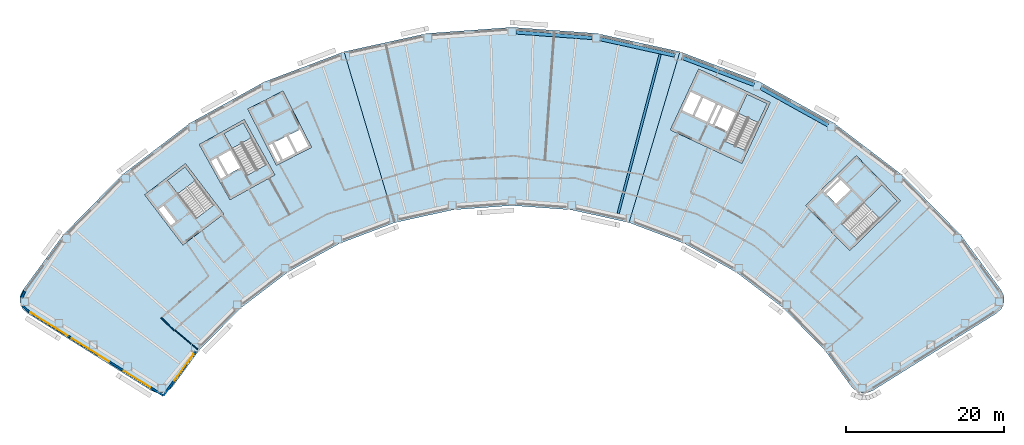
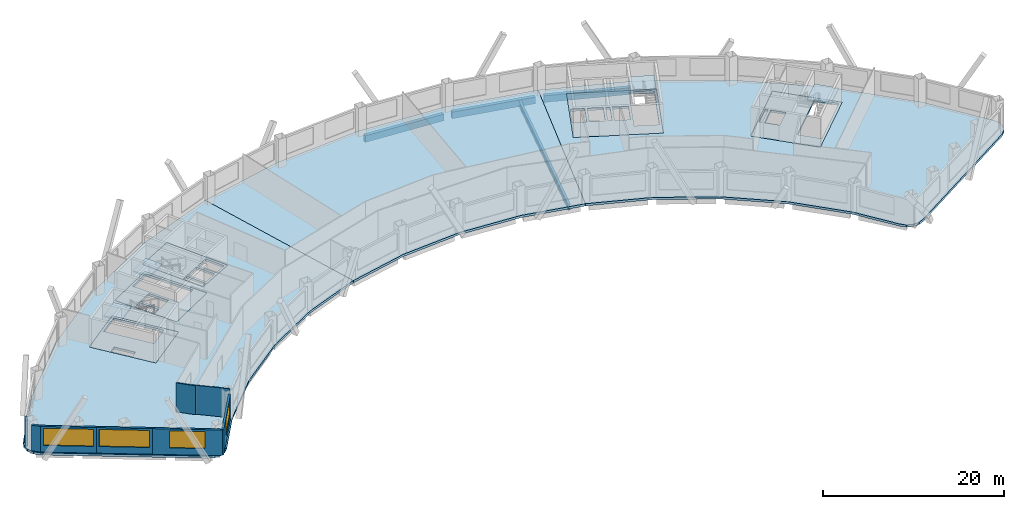
# One storey, part 2 of 11: 12 slabs, 8 walls, 5 beams, 4 windows, 4 openings, 4 elements without a shape of their own.
"""IFC4 building model written with IfcOpenShell, lengths in metres."""

from ifc_helpers import new_model, si_unit, direction, frame, frame_2d, origin, origin_2d, place, context, subcontext, project, spatial, polyline, rectangle, hollow_rectangle, i_section, outline, extrude, material, layer, layer_set, material_profile, profile_set, type_object, element, fill, aggregate, save


model = new_model("IFC4")

# Units and contexts
model_context = context("Model", 3, precision=1e-05, world=origin(), true_north=direction((0.0, 1.0)))
body_context = subcontext(model_context, "Body", "Model", "MODEL_VIEW")
ifc_project = project(units=[si_unit("LENGTHUNIT", "METRE"), si_unit("AREAUNIT", "SQUARE_METRE"), si_unit("VOLUMEUNIT", "CUBIC_METRE"), si_unit("PLANEANGLEUNIT", "RADIAN"), si_unit("MASSUNIT", "GRAM", prefix="KILO")], contexts=[model_context])

# Site, building, storey
site_placement = place(None, origin())
site = spatial("IfcSite", under=ifc_project, at=site_placement, CompositionType="ELEMENT")
building_placement = place(site_placement, origin())
building = spatial("IfcBuilding", under=site, at=building_placement, Name="Tuul Gate Civic Tower", CompositionType="ELEMENT")
storey_placement = place(building_placement, frame((0.0, 0.0, 155.0)))
storey = spatial("IfcBuildingStorey", under=building, at=storey_placement, Name="Level 35", CompositionType="ELEMENT", Elevation=155.0)

# Beams
ifc_material_1 = material(Name="Steel S355", Category="steel")
ifc_material_profile_1 = material_profile(ifc_material_1, i_section(OverallWidth=0.300048828125, OverallDepth=0.800048828125, WebThickness=0.013916015625, FlangeThickness=0.02490234375, at=origin_2d()), Name="PG800x300x14x25")
ifc_profile_set_1 = profile_set([ifc_material_profile_1], Name="Steel S355")
beam_type_1 = type_object("IfcBeamType", Name="STR-FLOOR BEAM-PG800x300x14x25", PredefinedType="BEAM", material=ifc_profile_set_1)
beam_1_placement = place(storey_placement, frame((18.8125, -13.7099609375, -0.699951171875), z_axis=(0.255004720301, 0.96693980817, 0.0), x_axis=(-0.96693980817, 0.255004720301, 0.0)))
element("IfcBeam", 1, at=beam_1_placement, inside=storey, type_object=beam_type_1, Name="Floor beam", PredefinedType="BEAM", context=body_context, shape_type="SweptSolid", body=[
    extrude(i_section(OverallWidth=0.300048828125, OverallDepth=0.800048828125, WebThickness=0.013916015625, FlangeThickness=0.02490234375, at=origin_2d()), origin(), (0.0, 0.0, 1.0), 20.817626953125),
])
ifc_material_2 = material(Name="Steel S355", Category="steel")
ifc_material_profile_2 = material_profile(ifc_material_2, hollow_rectangle(XDim=0.449951171875, YDim=0.89990234375, WallThickness=0.02490234375, at=origin_2d()), Name="BOX900x450x25")
ifc_profile_set_2 = profile_set([ifc_material_profile_2], Name="Steel S355")
beam_type_2 = type_object("IfcBeamType", Name="STR-SPANDREL BEAM-BOX900x450x25", PredefinedType="BEAM", material=ifc_profile_set_2)
beam_2_placement = place(storey_placement, frame((45.338623046875, -2.548583984375, -0.75), z_axis=(-0.874626955885, 0.484796542933, 0.0), x_axis=(-0.484796542933, -0.874626955885, 0.0)))
element("IfcBeam", 2, at=beam_2_placement, inside=storey, type_object=beam_type_2, Name="Spandrel beam", PredefinedType="BEAM", context=body_context, shape_type="SweptSolid", body=[
    extrude(hollow_rectangle(XDim=0.449951171875, YDim=0.89990234375, WallThickness=0.02490234375, at=origin_2d()), origin(), (0.0, 0.0, 1.0), 9.676513671875),
])
beam_3_placement = place(storey_placement, frame((35.97021484375, 2.561767578125, -0.75), z_axis=(-0.935339508416, 0.353751330735, 0.0), x_axis=(-0.353751330735, -0.935339508416, 0.0)))
element("IfcBeam", 3, at=beam_3_placement, inside=storey, type_object=beam_type_2, Name="Spandrel beam", PredefinedType="BEAM", context=body_context, shape_type="SweptSolid", body=[
    extrude(hollow_rectangle(XDim=0.449951171875, YDim=0.89990234375, WallThickness=0.02490234375, at=origin_2d()), origin(), (0.0, 0.0, 1.0), 9.67724609375),
])
beam_4_placement = place(storey_placement, frame((25.962646484375, 6.26953125, -0.75), z_axis=(-0.976569557508, 0.215201996619, 0.0), x_axis=(-0.215201996619, -0.976569557508, 0.0)))
element("IfcBeam", 4, at=beam_4_placement, inside=storey, type_object=beam_type_2, Name="Spandrel beam", PredefinedType="BEAM", context=body_context, shape_type="SweptSolid", body=[
    extrude(hollow_rectangle(XDim=0.449951171875, YDim=0.89990234375, WallThickness=0.02490234375, at=origin_2d()), origin(), (0.0, 0.0, 1.0), 9.67822265625),
])
beam_5_placement = place(storey_placement, frame((15.5244140625, 8.49609375, -0.75), z_axis=(-0.997382449667, 0.072306632453, 0.0), x_axis=(-0.072306632453, -0.997382449667, 0.0)))
element("IfcBeam", 5, at=beam_5_placement, inside=storey, type_object=beam_type_2, Name="Spandrel beam", PredefinedType="BEAM", context=body_context, shape_type="SweptSolid", body=[
    extrude(hollow_rectangle(XDim=0.449951171875, YDim=0.89990234375, WallThickness=0.02490234375, at=origin_2d()), origin(), (0.0, 0.0, 1.0), 9.677001953125),
])

# Slabs
ifc_material_3 = material(Name="Concrete C40/50", Category="concrete")
ifc_layer_1 = layer(ifc_material_3, 0.300048828125)
ifc_layer_set_1 = layer_set([ifc_layer_1], Name="Concrete C40/50")
slab_type_1 = type_object("IfcSlabType", Name="Core floor slab 300", PredefinedType="FLOOR", material=ifc_layer_set_1)
slab_1_placement = place(storey_placement, frame((0.0, 0.0, -0.300048828125)))
element("IfcSlab", 6, at=slab_1_placement, inside=storey, type_object=slab_type_1, Name="FLOOR SLAB", PredefinedType="FLOOR", context=body_context, shape_type="SweptSolid", body=[
    extrude(outline(polyline([(-31.10009765625, -13.7890625), (-35.946044921875, -7.423828125), (-41.11767578125, -11.361572265625), (-36.271484375, -17.726806640625), (-31.10009765625, -13.7890625)]), holes=[polyline([(-37.19287109375, -14.783203125), (-38.737548828125, -12.75439453125), (-39.45361328125, -13.299560546875), (-37.908935546875, -15.328369140625), (-37.19287109375, -14.783203125)]), polyline([(-32.33935546875, -12.65771484375), (-34.56591796875, -14.352783203125), (-38.229736328125, -9.54052734375), (-36.003173828125, -7.845458984375), (-32.33935546875, -12.65771484375)])]), origin(), (0.0, 0.0, 1.0), 0.300048828125),
])
slab_2_placement = place(storey_placement, frame((0.0, 0.0, -0.300048828125)))
element("IfcSlab", 7, at=slab_2_placement, inside=storey, type_object=slab_type_1, Name="FLOOR SLAB", PredefinedType="FLOOR", context=body_context, shape_type="SweptSolid", body=[
    extrude(outline(polyline([(-24.638916015625, -8.846923828125), (-28.51708984375, -1.849853515625), (-34.2021484375, -5.0009765625), (-30.32421875, -11.998046875), (-24.638916015625, -8.846923828125)]), holes=[polyline([(-29.0185546875, -7.958740234375), (-30.254638671875, -5.728515625), (-31.785400390625, -6.576904296875), (-30.54931640625, -8.80712890625), (-29.0185546875, -7.958740234375)]), polyline([(-30.8115234375, -8.95263671875), (-32.047607421875, -6.72216796875), (-32.8349609375, -7.158447265625), (-31.5986328125, -9.388916015625), (-30.8115234375, -8.95263671875)]), polyline([(-25.702392578125, -7.548828125), (-28.14990234375, -8.905517578125), (-31.08203125, -3.615234375), (-28.63427734375, -2.2587890625), (-25.702392578125, -7.548828125)])]), origin(), (0.0, 0.0, 1.0), 0.300048828125),
])
slab_3_placement = place(storey_placement, frame((0.0, 0.0, -0.300048828125)))
element("IfcSlab", 8, at=slab_3_placement, inside=storey, type_object=slab_type_1, Name="FLOOR SLAB", PredefinedType="FLOOR", context=body_context, shape_type="SweptSolid", body=[
    extrude(outline(polyline([(48.117919921875, -18.43310546875), (54.545166015625, -12.1328125), (48.945068359375, -6.419921875), (42.517822265625, -12.719970703125), (48.117919921875, -18.43310546875)]), holes=[polyline([(46.373779296875, -12.510986328125), (48.19482421875, -10.725830078125), (46.969970703125, -9.47607421875), (45.14892578125, -11.26123046875), (46.373779296875, -12.510986328125)]), polyline([(44.93896484375, -11.046875), (46.760009765625, -9.261962890625), (46.514892578125, -9.011962890625), (44.69384765625, -10.797119140625), (44.93896484375, -11.046875)]), polyline([(49.086181640625, -17.062744140625), (47.12744140625, -15.064208984375), (52.160888671875, -10.130126953125), (54.11962890625, -12.128662109375), (49.086181640625, -17.062744140625)])]), origin(), (0.0, 0.0, 1.0), 0.300048828125),
])
slab_4_placement = place(storey_placement, frame((0.0, 0.0, -0.300048828125)))
element("IfcSlab", 9, at=slab_4_placement, inside=storey, type_object=slab_type_1, Name="FLOOR SLAB", PredefinedType="FLOOR", context=body_context, shape_type="SweptSolid", body=[
    extrude(outline(polyline([(34.465087890625, -7.385986328125), (38.056884765625, 0.31787109375), (28.993896484375, 4.543701171875), (25.40185546875, -3.159912109375), (34.465087890625, -7.385986328125)]), holes=[polyline([(32.60888671875, -3.32080078125), (33.6865234375, -1.009765625), (32.1005859375, -0.27001953125), (31.02294921875, -2.581298828125), (32.60888671875, -3.32080078125)]), polyline([(30.0712890625, -2.137451171875), (31.14892578125, 0.173583984375), (29.562744140625, 0.9130859375), (28.4853515625, -1.39794921875), (30.0712890625, -2.137451171875)]), polyline([(30.751220703125, -2.454345703125), (31.82861328125, -0.143310546875), (31.4208984375, 0.046875), (30.34326171875, -2.264404296875), (30.751220703125, -2.454345703125)]), polyline([(28.21337890625, -1.27099609375), (29.291015625, 1.0400390625), (27.8408203125, 1.71630859375), (26.76318359375, -0.594970703125), (28.21337890625, -1.27099609375)]), polyline([(34.889892578125, -5.7626953125), (32.353759765625, -4.580078125), (35.120849609375, 1.354736328125), (37.6572265625, 0.17236328125), (34.889892578125, -5.7626953125)])]), origin(), (0.0, 0.0, 1.0), 0.300048828125),
])
ifc_material_4 = material(Name="Concrete C40/50", Category="concrete")
ifc_layer_2 = layer(ifc_material_4, 0.300048828125)
ifc_layer_set_2 = layer_set([ifc_layer_2], Name="Concrete C40/50")
slab_type_2 = type_object("IfcSlabType", Name="Core floor slab 300 non-bearing", PredefinedType="FLOOR", material=ifc_layer_set_2)
slab_5_placement = place(storey_placement, frame((0.0, 0.0, -0.300048828125)))
element("IfcSlab", 10, at=slab_5_placement, inside=storey, type_object=slab_type_2, Name="FLOOR SLAB", PredefinedType="FLOOR", context=body_context, shape_type="SweptSolid", body=[
    extrude(outline(polyline([(-19.98095703125, -5.365966796875), (-23.613037109375, 1.761962890625), (-28.068115234375, -0.508056640625), (-24.43603515625, -7.635986328125), (-19.98095703125, -5.365966796875)]), holes=[polyline([(-20.384521484375, -5.23486328125), (-21.47412109375, -3.096435546875), (-22.899658203125, -3.822998046875), (-21.81005859375, -5.961181640625), (-20.384521484375, -5.23486328125)]), polyline([(-22.077392578125, -6.097412109375), (-23.1669921875, -3.958984375), (-24.726318359375, -4.753662109375), (-23.63671875, -6.89208984375), (-22.077392578125, -6.097412109375)]), polyline([(-23.8359375, -7.161865234375), (-24.99365234375, -4.889892578125), (-25.5283203125, -5.162109375), (-24.37060546875, -7.434326171875), (-23.8359375, -7.161865234375)])]), origin(), (0.0, 0.0, 1.0), 0.300048828125),
])

# Stair, slab
ifc_material_5 = material(Name="Concrete C40/50", Category="concrete")
stair_type = type_object("IfcStairType", Name="Exit stair", PredefinedType="HALF_TURN_STAIR", material=ifc_material_5)
stair_1_placement = place(storey_placement, origin())
stair_1 = element("IfcStair", 11, at=stair_1_placement, inside=storey, type_object=stair_type, Name="Level 35 ST-1", PredefinedType="HALF_TURN_STAIR")
ifc_material_6 = material(Name="Concrete C40/50", Category="concrete")
ifc_layer_3 = layer(ifc_material_6, 0.199951171875)
ifc_layer_set_3 = layer_set([ifc_layer_3], Name="Concrete C40/50")
slab_type_3 = type_object("IfcSlabType", Name="Exit stair landing", PredefinedType="LANDING", material=ifc_layer_set_3)
slab_6_placement = place(storey_placement, frame((0.0, 0.0, 1.89990234375)))
slab_6 = element("IfcSlab", 12, at=slab_6_placement, type_object=slab_type_3, Name="ST-1 landing 1", PredefinedType="LANDING", context=body_context, shape_type="SweptSolid", body=[
    extrude(outline(polyline([(-34.699462890625, -9.554931640625), (-36.9287109375, -11.252197265625), (-38.23193359375, -9.540283203125), (-36.0029296875, -7.843017578125), (-34.699462890625, -9.554931640625)])), origin(), (0.0, 0.0, 1.0), 0.2001953125),
])
aggregate(stair_1, [slab_6])

stair_2_placement = place(storey_placement, origin())
stair_2 = element("IfcStair", 13, at=stair_2_placement, inside=storey, type_object=stair_type, Name="Level 35 ST-2", PredefinedType="HALF_TURN_STAIR")
slab_7_placement = place(storey_placement, frame((0.0, 0.0, 1.89990234375)))
slab_7 = element("IfcSlab", 14, at=slab_7_placement, type_object=slab_type_3, Name="ST-2 landing 1", PredefinedType="LANDING", context=body_context, shape_type="SweptSolid", body=[
    extrude(outline(polyline([(-27.5908203125, -4.138427734375), (-30.041015625, -5.49658203125), (-31.084228515625, -3.61474609375), (-28.6337890625, -2.256591796875), (-27.5908203125, -4.138427734375)])), origin(), (0.0, 0.0, 1.0), 0.2001953125),
])
aggregate(stair_2, [slab_7])

stair_3_placement = place(storey_placement, origin())
stair_3 = element("IfcStair", 15, at=stair_3_placement, inside=storey, type_object=stair_type, Name="Level 35 ST-3", PredefinedType="HALF_TURN_STAIR")
slab_8_placement = place(storey_placement, frame((0.0, 0.0, 1.89990234375)))
slab_8 = element("IfcSlab", 16, at=slab_8_placement, type_object=slab_type_3, Name="ST-3 landing 1", PredefinedType="LANDING", context=body_context, shape_type="SweptSolid", body=[
    extrude(outline(polyline([(51.871337890625, -14.3349609375), (49.91015625, -12.334228515625), (52.160888671875, -10.1279296875), (54.1220703125, -12.128662109375), (51.871337890625, -14.3349609375)])), origin(), (0.0, 0.0, 1.0), 0.2001953125),
])
aggregate(stair_3, [slab_8])

stair_4_placement = place(storey_placement, origin())
stair_4 = element("IfcStair", 17, at=stair_4_placement, inside=storey, type_object=stair_type, Name="Level 35 ST-4", PredefinedType="HALF_TURN_STAIR")
slab_9_placement = place(storey_placement, frame((0.0, 0.0, 1.89990234375)))
slab_9 = element("IfcSlab", 18, at=slab_9_placement, type_object=slab_type_3, Name="ST-4 landing 1", PredefinedType="LANDING", context=body_context, shape_type="SweptSolid", body=[
    extrude(outline(polyline([(36.538818359375, -2.230224609375), (33.999755859375, -1.046142578125), (35.1201171875, 1.35693359375), (37.659423828125, 0.173095703125), (36.538818359375, -2.230224609375)])), origin(), (0.0, 0.0, 1.0), 0.2001953125),
])
aggregate(stair_4, [slab_9])

# Slabs
ifc_material_7 = material(Name="Concrete C35/45", Category="concrete")
ifc_layer_4 = layer(ifc_material_7, 0.300048828125)
ifc_layer_set_4 = layer_set([ifc_layer_4], Name="Concrete C35/45")
slab_type_4 = type_object("IfcSlabType", Name="STR-FLOOR-SLAB-300", PredefinedType="FLOOR", material=ifc_layer_set_4)
slab_10_placement = place(storey_placement, frame((0.0, 0.0, -0.300048828125)))
element("IfcSlab", 19, at=slab_10_placement, inside=storey, type_object=slab_type_4, Name="Level 35/slab/W", PredefinedType="FLOOR", context=body_context, shape_type="SweptSolid", body=[
    extrude(outline(polyline([(-16.4599609375, -17.5380859375), (-9.43994140625, -14.883056640625), (-15.8740234375, 6.739013671875), (-25.943115234375, 2.930908203125), (-35.35693359375, -2.287109375), (-43.922119140625, -8.80810546875), (-51.45703125, -16.4951171875), (-56.537109375, -23.451904296875), (-56.8740234375, -24.195068359375), (-56.885986328125, -25.010009765625), (-56.571044921875, -25.762939453125), (-55.98193359375, -26.326904296875), (-40.251953125, -36.156005859375), (-39.55810546875, -36.427001953125), (-38.81298828125, -36.424072265625), (-38.12109375, -36.14892578125), (-37.576904296875, -35.639892578125), (-34.248046875, -31.08203125), (-28.9951171875, -25.721923828125), (-23.02392578125, -21.176025390625), (-16.4599609375, -17.5380859375)]), holes=[polyline([(-31.10009765625, -13.7890625), (-36.27197265625, -17.72705078125), (-41.117919921875, -11.362060546875), (-35.946044921875, -7.424072265625), (-31.10009765625, -13.7890625)]), polyline([(-24.638916015625, -8.846923828125), (-30.323974609375, -11.998046875), (-34.201904296875, -5.0009765625), (-28.51708984375, -1.85009765625), (-24.638916015625, -8.846923828125)]), polyline([(-24.43603515625, -7.635986328125), (-28.068115234375, -0.508056640625), (-23.613037109375, 1.761962890625), (-19.98095703125, -5.365966796875), (-24.43603515625, -7.635986328125)])]), origin(), (0.0, 0.0, 1.0), 0.300048828125),
])
slab_11_placement = place(storey_placement, frame((0.0, 0.0, -0.300048828125)))
element("IfcSlab", 20, at=slab_11_placement, inside=storey, type_object=slab_type_4, Name="Level 35/slab/M", PredefinedType="FLOOR", context=body_context, shape_type="SweptSolid", body=[
    extrude(outline(polyline([(20.18798828125, -14.883056640625), (26.6220703125, 6.739013671875), (16.110107421875, 9.054931640625), (5.3740234375, 9.8330078125), (-5.362060546875, 9.054931640625), (-15.8740234375, 6.739013671875), (-9.43994140625, -14.883056640625), (-2.111083984375, -13.26806640625), (5.3740234375, -12.72607421875), (12.85888671875, -13.26806640625), (20.18798828125, -14.883056640625)])), origin(), (0.0, 0.0, 1.0), 0.300048828125),
])
slab_12_placement = place(storey_placement, frame((0.0, 0.0, -0.300048828125)))
element("IfcSlab", 21, at=slab_12_placement, inside=storey, type_object=slab_type_4, Name="Level 35/slab/E", PredefinedType="FLOOR", context=body_context, shape_type="SweptSolid", body=[
    extrude(outline(polyline([(50.305908203125, -36.427001953125), (51.0, -36.156005859375), (66.72998046875, -26.326904296875), (67.319091796875, -25.762939453125), (67.634033203125, -25.010009765625), (67.6220703125, -24.195068359375), (67.284912109375, -23.451904296875), (62.205078125, -16.4951171875), (54.669921875, -8.80810546875), (46.10498046875, -2.287109375), (36.69091796875, 2.930908203125), (26.6220703125, 6.739013671875), (20.18798828125, -14.883056640625), (27.2080078125, -17.5380859375), (33.77197265625, -21.176025390625), (39.742919921875, -25.721923828125), (44.99609375, -31.08203125), (48.324951171875, -35.639892578125), (48.868896484375, -36.14892578125), (49.56103515625, -36.424072265625), (50.305908203125, -36.427001953125)]), holes=[polyline([(48.117919921875, -18.43310546875), (42.51806640625, -12.719970703125), (48.945068359375, -6.419921875), (54.544921875, -12.133056640625), (48.117919921875, -18.43310546875)]), polyline([(25.402099609375, -3.159912109375), (28.993896484375, 4.5439453125), (38.056884765625, 0.318115234375), (34.465087890625, -7.385986328125), (25.402099609375, -3.159912109375)])]), origin(), (0.0, 0.0, 1.0), 0.300048828125),
])

# Walls
ifc_material_8 = material(Name="Gypsum board partition")
ifc_layer_5 = layer(ifc_material_8, 0.14990234375)
ifc_layer_set_5 = layer_set([ifc_layer_5], Name="Gypsum board partition")
wall_type_1 = type_object("IfcWallType", Name="Corridor wall P150", PredefinedType="PARTITIONING", material=ifc_layer_set_5)
wall_1_placement = place(storey_placement, frame((-39.0068359375, -26.9365234375, 0.0), z_axis=(0.0, 0.0, 1.0), x_axis=(0.711649081693, -0.702535112664, 0.0)))
element("IfcWall", 22, at=wall_1_placement, inside=storey, type_object=wall_type_1, Name="p034", PredefinedType="PARTITIONING", context=body_context, shape_type="SweptSolid", body=[
    extrude(rectangle(XDim=2.250244140625, YDim=0.14990234375, at=frame_2d((1.125, 0.0))), origin(), (0.0, 0.0, 1.0), 3.89990234375),
])
ifc_material_9 = material(Name="Precast concrete C40/50", Category="concrete")
ifc_layer_6 = layer(ifc_material_9, 0.25)
ifc_layer_set_6 = layer_set([ifc_layer_6], Name="Precast concrete C40/50")
wall_type_2 = type_object("IfcWallType", Name="External wall", PredefinedType="STANDARD", material=ifc_layer_set_6)
wall_2_placement = place(storey_placement, frame((-56.30224609375, -23.591796875, 0.0), z_axis=(0.0, 0.0, 1.0), x_axis=(-0.41355333093, -0.9104798968, 0.0)))
element("IfcWall", 23, at=wall_2_placement, inside=storey, type_object=wall_type_2, Name="External wall", PredefinedType="STANDARD", context=body_context, shape_type="SweptSolid", body=[
    extrude(rectangle(XDim=0.88427734375, YDim=0.25, at=frame_2d((0.442138671875, 0.0))), origin(), (0.0, 0.0, 1.0), 3.449951171875),
])
wall_3_placement = place(storey_placement, frame((-56.560546875, -25.39697265625, 0.0), z_axis=(0.0, 0.0, 1.0), x_axis=(0.722111514746, -0.691776669361, 0.0)))
element("IfcWall", 24, at=wall_3_placement, inside=storey, type_object=wall_type_2, Name="External wall", PredefinedType="STANDARD", context=body_context, shape_type="SweptSolid", body=[
    extrude(rectangle(XDim=1.0302734375, YDim=0.25, at=frame_2d((0.51513671875, 0.0))), origin(), (0.0, 0.0, 1.0), 3.449951171875),
])

# Wall, opening, window
wall_4_placement = place(storey_placement, frame((-55.836669921875, -26.093994140625, 0.0), z_axis=(0.0, 0.0, 1.0), x_axis=(0.848042669488, -0.529927948619, 0.0)))
wall_4 = element("IfcWall", 25, at=wall_4_placement, inside=storey, type_object=wall_type_2, Name="External wall", PredefinedType="STANDARD", context=body_context, shape_type="SweptSolid", body=[
    extrude(rectangle(XDim=6.1826171875, YDim=0.25, at=frame_2d((3.09130859375, 0.0))), origin(), (0.0, 0.0, 1.0), 3.449951171875),
])
opening_1_placement = place(wall_4_placement, frame((0.31640625, 0.0, 0.89990234375)))
opening_1 = element("IfcOpeningElement", 26, at=opening_1_placement, cuts=wall_4, Name="Opening W24", PredefinedType="OPENING", context=body_context, shape_type="SweptSolid", body=[
    extrude(rectangle(XDim=5.550048828125, YDim=2.300048828125, at=frame_2d((2.77490234375, 1.14990234375))), frame((0.0, 0.135009765625, 0.0), z_axis=(0.0, -1.0, 0.0), x_axis=(1.0, 0.0, 0.0)), (0.0, 0.0, 1.0), 0.27001953125),
])
ifc_material_10 = material(Name="Glass", Category="glass")
window_type_1 = type_object("IfcWindowType", Name="Window W24 5550 x 2300", PartitioningType="SINGLE_PANEL", PredefinedType="WINDOW", material=ifc_material_10)
window_1_placement = place(opening_1_placement, origin())
window_1 = element("IfcWindow", 27, at=window_1_placement, inside=storey, type_object=window_type_1, Name="Window", OverallHeight=2.300048828125, OverallWidth=5.550048828125, PartitioningType="SINGLE_PANEL", PredefinedType="WINDOW", context=body_context, shape_type="SweptSolid", body=[
    extrude(rectangle(XDim=5.550048828125, YDim=2.300048828125, at=frame_2d((2.77490234375, 1.14990234375))), frame((0.0, 0.030029296875, 0.0), z_axis=(0.0, -1.0, 0.0), x_axis=(1.0, 0.0, 0.0)), (0.0, 0.0, 1.0), 0.06005859375),
])
fill(opening_1, window_1)

wall_5_placement = place(storey_placement, frame((-50.593505859375, -29.370361328125, 0.0), z_axis=(0.0, 0.0, 1.0), x_axis=(0.848053758074, -0.529910203164, 0.0)))
wall_5 = element("IfcWall", 28, at=wall_5_placement, inside=storey, type_object=wall_type_2, Name="External wall", PredefinedType="STANDARD", context=body_context, shape_type="SweptSolid", body=[
    extrude(rectangle(XDim=6.182861328125, YDim=0.25, at=frame_2d((3.09130859375, 0.0))), origin(), (0.0, 0.0, 1.0), 3.449951171875),
])
opening_2_placement = place(wall_5_placement, frame((0.31640625, 0.0, 0.89990234375)))
opening_2 = element("IfcOpeningElement", 29, at=opening_2_placement, cuts=wall_5, Name="Opening W24", PredefinedType="OPENING", context=body_context, shape_type="SweptSolid", body=[
    extrude(rectangle(XDim=5.550048828125, YDim=2.300048828125, at=frame_2d((2.77490234375, 1.14990234375))), frame((0.0, 0.135009765625, 0.0), z_axis=(0.0, -1.0, 0.0), x_axis=(1.0, 0.0, 0.0)), (0.0, 0.0, 1.0), 0.27001953125),
])
window_2_placement = place(opening_2_placement, origin())
window_2 = element("IfcWindow", 30, at=window_2_placement, inside=storey, type_object=window_type_1, Name="Window", OverallHeight=2.300048828125, OverallWidth=5.550048828125, PartitioningType="SINGLE_PANEL", PredefinedType="WINDOW", context=body_context, shape_type="SweptSolid", body=[
    extrude(rectangle(XDim=5.550048828125, YDim=2.300048828125, at=frame_2d((2.77490234375, 1.14990234375))), frame((0.0, 0.030029296875, 0.0), z_axis=(0.0, -1.0, 0.0), x_axis=(1.0, 0.0, 0.0)), (0.0, 0.0, 1.0), 0.06005859375),
])
fill(opening_2, window_2)

wall_6_placement = place(storey_placement, frame((-45.35009765625, -32.646728515625, 0.0), z_axis=(0.0, 0.0, 1.0), x_axis=(0.848051131154, -0.529914407191, 0.0)))
wall_6 = element("IfcWall", 31, at=wall_6_placement, inside=storey, type_object=wall_type_2, Name="External wall", PredefinedType="STANDARD", context=body_context, shape_type="SweptSolid", body=[
    extrude(rectangle(XDim=7.788330078125, YDim=0.25, at=frame_2d((3.89404296875, 0.0))), origin(), (0.0, 0.0, 1.0), 3.449951171875),
])
opening_3_placement = place(wall_6_placement, frame((1.89697265625, 0.0, 0.89990234375)))
opening_3 = element("IfcOpeningElement", 32, at=opening_3_placement, cuts=wall_6, Name="Opening W113", PredefinedType="OPENING", context=body_context, shape_type="SweptSolid", body=[
    extrude(rectangle(XDim=3.949951171875, YDim=2.300048828125, at=frame_2d((1.97509765625, 1.14990234375))), frame((0.0, 0.135009765625, 0.0), z_axis=(0.0, -1.0, 0.0), x_axis=(1.0, 0.0, 0.0)), (0.0, 0.0, 1.0), 0.27001953125),
])
ifc_material_11 = material(Name="Glass", Category="glass")
window_type_2 = type_object("IfcWindowType", Name="Window W113 3950 x 2300", PartitioningType="SINGLE_PANEL", PredefinedType="WINDOW", material=ifc_material_11)
window_3_placement = place(opening_3_placement, origin())
window_3 = element("IfcWindow", 33, at=window_3_placement, inside=storey, type_object=window_type_2, Name="Window", OverallHeight=2.300048828125, OverallWidth=3.949951171875, PartitioningType="SINGLE_PANEL", PredefinedType="WINDOW", context=body_context, shape_type="SweptSolid", body=[
    extrude(rectangle(XDim=3.949951171875, YDim=2.300048828125, at=frame_2d((1.97509765625, 1.14990234375))), frame((0.0, 0.030029296875, 0.0), z_axis=(0.0, -1.0, 0.0), x_axis=(1.0, 0.0, 0.0)), (0.0, 0.0, 1.0), 0.06005859375),
])
fill(opening_3, window_3)

wall_7_placement = place(storey_placement, frame((-38.7451171875, -36.77392578125, 0.0), z_axis=(0.0, 0.0, 1.0), x_axis=(0.589748164831, 0.8075872102, 0.0)))
wall_7 = element("IfcWall", 34, at=wall_7_placement, inside=storey, type_object=wall_type_2, Name="External wall", PredefinedType="STANDARD", context=body_context, shape_type="SweptSolid", body=[
    extrude(rectangle(XDim=6.910400390625, YDim=0.25, at=frame_2d((3.455078125, 0.0))), origin(), (0.0, 0.0, 1.0), 3.449951171875),
])
opening_4_placement = place(wall_7_placement, frame((2.356689453125, 0.0, 0.89990234375)))
opening_4 = element("IfcOpeningElement", 35, at=opening_4_placement, cuts=wall_7, Name="Opening W25", PredefinedType="OPENING", context=body_context, shape_type="SweptSolid", body=[
    extrude(rectangle(XDim=4.14990234375, YDim=2.300048828125, at=frame_2d((2.074951171875, 1.14990234375))), frame((0.0, 0.135009765625, 0.0), z_axis=(0.0, -1.0, 0.0), x_axis=(1.0, 0.0, 0.0)), (0.0, 0.0, 1.0), 0.27001953125),
])
ifc_material_12 = material(Name="Glass", Category="glass")
window_type_3 = type_object("IfcWindowType", Name="Window W25 4150 x 2300", PartitioningType="SINGLE_PANEL", PredefinedType="WINDOW", material=ifc_material_12)
window_4_placement = place(opening_4_placement, origin())
window_4 = element("IfcWindow", 36, at=window_4_placement, inside=storey, type_object=window_type_3, Name="Window", OverallHeight=2.300048828125, OverallWidth=4.14990234375, PartitioningType="SINGLE_PANEL", PredefinedType="WINDOW", context=body_context, shape_type="SweptSolid", body=[
    extrude(rectangle(XDim=4.14990234375, YDim=2.300048828125, at=frame_2d((2.074951171875, 1.14990234375))), frame((0.0, 0.030029296875, 0.0), z_axis=(0.0, -1.0, 0.0), x_axis=(1.0, 0.0, 0.0)), (0.0, 0.0, 1.0), 0.06005859375),
])
fill(opening_4, window_4)

# Wall
ifc_material_13 = material(Name="Gypsum board partition")
ifc_layer_7 = layer(ifc_material_13, 0.10009765625)
ifc_layer_set_7 = layer_set([ifc_layer_7], Name="Gypsum board partition")
wall_type_3 = type_object("IfcWallType", Name="Partition P100", PredefinedType="PARTITIONING", material=ifc_layer_set_7)
wall_8_placement = place(storey_placement, frame((-37.341064453125, -28.460205078125, 0.0), z_axis=(0.0, 0.0, 1.0), x_axis=(0.762815767744, -0.646615886351, 0.0)))
element("IfcWall", 37, at=wall_8_placement, inside=storey, type_object=wall_type_3, Name="p028", PredefinedType="PARTITIONING", context=body_context, shape_type="SweptSolid", body=[
    extrude(rectangle(XDim=3.783935546875, YDim=0.10009765625, at=frame_2d((1.89208984375, 0.0))), origin(), (0.0, 0.0, 1.0), 3.89990234375),
])

save(model, "model.ifc")
